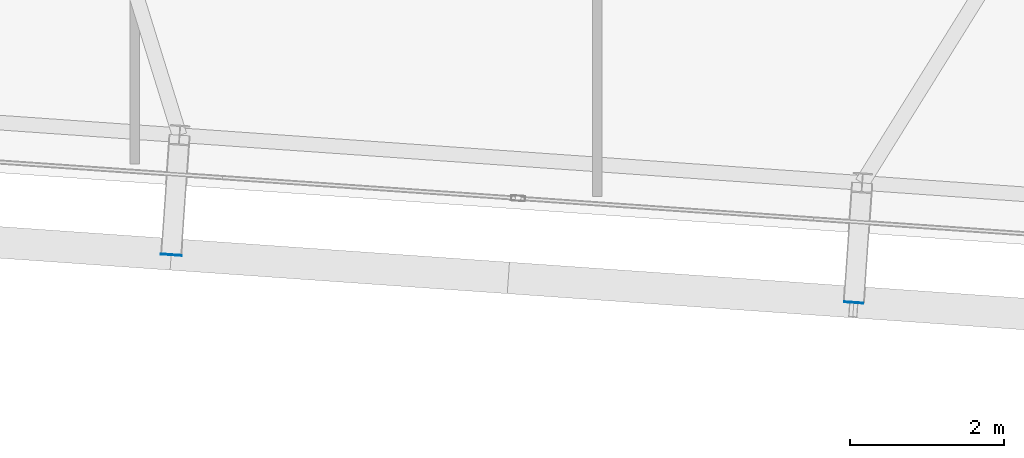
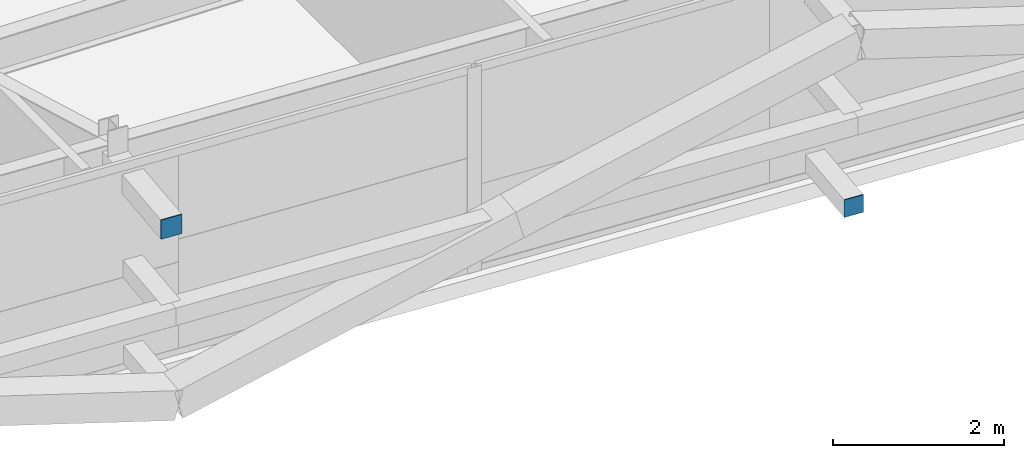
# One storey, part 28 of 39: 2 plates.
"""IFC4 building model written with IfcOpenShell, lengths in metres."""

import ifcopenshell
import ifcopenshell.guid

model = None  # the IFC model being written
_history = None  # IfcOwnerHistory: only IFC2X3 demands one
_inside = {}  # id of a spatial element -> (the spatial element, [elements in it])
_under = {}  # id of a project, library or spatial element -> (it, [spatial elements below it])
_declared = {}  # id of a project -> (the project, [libraries it declares])
_typed = {}  # id of a type object -> (the type object, [elements of that type])
_made_of = {}  # id of a material, layer set ... -> (it, [elements and type objects made of it])


def new_model(schema):
    """Start an empty IFC model of exactly this schema.

    Asked for "IFC4X3", IfcOpenShell would pick the latest addendum, in which some entities
    have other attributes; the version numbers below select the first issue.
    IFC2X3 requires an IfcOwnerHistory on every rooted entity: one is made here for all.
    """
    global model, _history
    if schema == "IFC4X3":
        model = ifcopenshell.file(schema_version=(4, 3, 0, 0))
    else:
        model = ifcopenshell.file(schema=schema)
    _inside.clear()
    _under.clear()
    _declared.clear()
    _typed.clear()
    _made_of.clear()
    _history = None
    if model.schema == "IFC2X3":
        org = make("IfcOrganization", Name="unknown")
        user = make(
            "IfcPersonAndOrganization",
            ThePerson=make("IfcPerson", FamilyName="unknown"),
            TheOrganization=org,
        )
        app = make(
            "IfcApplication",
            ApplicationDeveloper=org,
            Version="unknown",
            ApplicationFullName="unknown",
            ApplicationIdentifier="unknown",
        )
        _history = make(
            "IfcOwnerHistory",
            OwningUser=user,
            OwningApplication=app,
            ChangeAction="ADDED",
            CreationDate=0,
        )
    return model


def make(cls, **values):
    """One entity of the class cls with the attributes given. An attribute that is None is left unset."""
    return model.create_entity(
        cls, **{name: value for name, value in values.items() if value is not None}
    )


def rooted(cls, **values):
    """An entity with a GlobalId (a new one), such as an element, a storey or a relation."""
    return make(cls, GlobalId=ifcopenshell.guid.new(), OwnerHistory=_history, **values)


def si_unit(unit_type, name, prefix=None):
    """IfcSIUnit, for example si_unit("LENGTHUNIT", "METRE", prefix="MILLI")."""
    return make("IfcSIUnit", UnitType=unit_type, Prefix=prefix, Name=name)


def assignment(units):
    """IfcUnitAssignment: the units of a project."""
    return None if units is None else make("IfcUnitAssignment", Units=units)


def point(xyz):
    """IfcCartesianPoint."""
    return None if xyz is None else make("IfcCartesianPoint", Coordinates=xyz)


def direction(xyz):
    """IfcDirection."""
    return None if xyz is None else make("IfcDirection", DirectionRatios=xyz)


def frame(location, z_axis=None, x_axis=None):
    """IfcAxis2Placement3D, a coordinate frame: its origin and axes. An axis left out is left unset."""
    return make(
        "IfcAxis2Placement3D",
        Location=point(location),
        Axis=direction(z_axis),
        RefDirection=direction(x_axis),
    )


def frame_2d(location, x_axis=None):
    """IfcAxis2Placement2D, a coordinate frame in the plane: its origin and x axis."""
    return make(
        "IfcAxis2Placement2D", Location=point(location), RefDirection=direction(x_axis)
    )


def origin():
    """The frame at (0, 0, 0) with its axes left unset."""
    return frame((0.0, 0.0, 0.0))


def origin_2d():
    """The frame at (0, 0) in the plane with its x axis left unset."""
    return frame_2d((0.0, 0.0))


def place(relative_to, where):
    """IfcLocalPlacement: puts the frame where relative to a parent placement (None: the world)."""
    return make(
        "IfcLocalPlacement", PlacementRelTo=relative_to, RelativePlacement=where
    )


def context(
    kind, dimensions, precision=None, world=None, true_north=None, identifier=None
):
    """IfcGeometricRepresentationContext, for example the 3D "Model" context."""
    return make(
        "IfcGeometricRepresentationContext",
        ContextIdentifier=identifier,
        ContextType=kind,
        CoordinateSpaceDimension=dimensions,
        Precision=precision,
        WorldCoordinateSystem=world,
        TrueNorth=true_north,
    )


def subcontext(parent, identifier, kind, view, scale=None):
    """IfcGeometricRepresentationSubContext, for example "Body" below "Model"."""
    return make(
        "IfcGeometricRepresentationSubContext",
        ContextIdentifier=identifier,
        ContextType=kind,
        ParentContext=parent,
        TargetScale=scale,
        TargetView=view,
    )


def project(units=None, contexts=None):
    """IfcProject with its units and contexts."""
    return rooted(
        "IfcProject",
        Name="project",
        RepresentationContexts=contexts,
        UnitsInContext=assignment(units),
    )


def spatial(cls, under=None, at=None, **own):
    """A site, building, storey or space (cls), placed at a placement, below another one or the project."""
    s = rooted(cls, ObjectPlacement=at, **own)
    if under is not None:
        _under.setdefault(under.id(), (under, []))[1].append(s)
    return s


def profile(cls, at=None, kind="AREA", **sizes):
    """A parametric profile (cls). Its sizes go by their IFC names, for example OverallWidth=200.0."""
    return make(cls, ProfileType=kind, Position=at, **sizes)


def rectangle(**sizes):
    """IfcRectangleProfileDef."""
    return profile("IfcRectangleProfileDef", **sizes)


def extrude(swept, where, along, depth):
    """IfcExtrudedAreaSolid: the profile swept, set in the frame where, extruded along a direction by depth."""
    return make(
        "IfcExtrudedAreaSolid",
        SweptArea=swept,
        Position=where,
        ExtrudedDirection=direction(along),
        Depth=depth,
    )


def shape(context_of_items, identifier, shape_type, items):
    """IfcShapeRepresentation: the items that make up one representation, for example the "Body"."""
    return make(
        "IfcShapeRepresentation",
        ContextOfItems=context_of_items,
        RepresentationIdentifier=identifier,
        RepresentationType=shape_type,
        Items=items,
    )


def source(mapping_origin, context_of_items, identifier, shape_type, items):
    """IfcRepresentationMap: a shape defined once, which mapped items show again and again."""
    return make(
        "IfcRepresentationMap",
        MappingOrigin=mapping_origin,
        MappedRepresentation=shape(context_of_items, identifier, shape_type, items),
    )


def transform(
    local_origin,
    x_axis=None,
    y_axis=None,
    z_axis=None,
    scale=None,
    scale2=None,
    scale3=None,
    uniform=True,
):
    """IfcCartesianTransformationOperator3D, or its non-uniform kind. x_axis, y_axis, z_axis: its Axis1, 2, 3."""
    if uniform:
        return make(
            "IfcCartesianTransformationOperator3D",
            Axis1=direction(x_axis),
            Axis2=direction(y_axis),
            LocalOrigin=point(local_origin),
            Scale=scale,
            Axis3=direction(z_axis),
        )
    return make(
        "IfcCartesianTransformationOperator3DnonUniform",
        Axis1=direction(x_axis),
        Axis2=direction(y_axis),
        LocalOrigin=point(local_origin),
        Scale=scale,
        Axis3=direction(z_axis),
        Scale2=scale2,
        Scale3=scale3,
    )


def mapped(mapping_source, mapping_target):
    """IfcMappedItem: shows the shape of a source again, moved by a transform."""
    return make(
        "IfcMappedItem", MappingSource=mapping_source, MappingTarget=mapping_target
    )


def material(Name=None, Category=None):
    """IfcMaterial."""
    return make("IfcMaterial", Name=Name, Category=Category)


def layer(
    of_material, thickness, ventilated=None, Name=None, Category=None, Priority=None
):
    """IfcMaterialLayer: one layer of a wall or slab, of a material (None: an air gap)."""
    return make(
        "IfcMaterialLayer",
        Material=of_material,
        LayerThickness=thickness,
        IsVentilated=ventilated,
        Name=Name,
        Category=Category,
        Priority=Priority,
    )


def layer_set(layers, Name=None):
    """IfcMaterialLayerSet."""
    return make("IfcMaterialLayerSet", MaterialLayers=layers, LayerSetName=Name)


def made_of(thing, what):
    """Note that an element or type object is made of a material, layer set ...; save() writes the relation."""
    if what is not None:
        _made_of.setdefault(what.id(), (what, []))[1].append(thing)
    return thing


def type_object(cls, material=None, **own):
    """A type object (cls), such as IfcWallType, which elements share."""
    return made_of(rooted(cls, **own), material)


def element(
    cls,
    number,
    at=None,
    inside=None,
    cuts=None,
    type_object=None,
    material=None,
    context=None,
    identifier="Body",
    shape_type=None,
    held_by="IfcProductDefinitionShape",
    body=None,
    shapes=None,
    **own,
):
    """One element of the class cls, such as IfcWall. Its Tag is "e" and its number.

    at: its placement. inside: the storey or other place that contains it. cuts: it is an
    opening in that element (IfcRelVoidsElement). A single representation is given by context,
    identifier, shape_type and body (its items); several are given by shapes. held_by: the class
    of the entity that holds the representations. save() writes the other relations.
    """
    e = rooted(cls, Tag="e%d" % number, ObjectPlacement=at, **own)
    if body is not None:
        shapes = [shape(context, identifier, shape_type, body)]
    if shapes is not None:
        e.Representation = make(held_by, Representations=shapes)
    if inside is not None:
        _inside.setdefault(inside.id(), (inside, []))[1].append(e)
    if cuts is not None:
        rooted(
            "IfcRelVoidsElement", RelatingBuildingElement=cuts, RelatedOpeningElement=e
        )
    if type_object is not None:
        _typed.setdefault(type_object.id(), (type_object, []))[1].append(e)
    return made_of(e, material)


def aggregate(whole, parts):
    """IfcRelAggregates: a whole, such as a stair, and the parts it consists of."""
    return rooted("IfcRelAggregates", RelatingObject=whole, RelatedObjects=parts)


def save(model, path):
    """Write the relations noted so far, then the file.

    IfcRelAggregates (storeys below a building ...), IfcRelContainedInSpatialStructure (elements
    in a storey), IfcRelDefinesByType, IfcRelAssociatesMaterial and IfcRelDeclares: one each for
    every whole, place, type object, material and project.
    """
    for whole, parts in _under.values():
        aggregate(whole, parts)
    for where, things in _inside.values():
        rooted(
            "IfcRelContainedInSpatialStructure",
            RelatedElements=things,
            RelatingStructure=where,
        )
    for kind, things in _typed.values():
        rooted("IfcRelDefinesByType", RelatedObjects=things, RelatingType=kind)
    for what, things in _made_of.values():
        rooted("IfcRelAssociatesMaterial", RelatedObjects=things, RelatingMaterial=what)
    for by, libraries in _declared.values():
        rooted("IfcRelDeclares", RelatingContext=by, RelatedDefinitions=libraries)
    model.write(path)


model = new_model("IFC4")

# Units and contexts
model_context = context("Model", 3, precision=1e-05, world=origin(), true_north=direction((0.0, 1.0)))
body_context = subcontext(model_context, "Body", "Model", "MODEL_VIEW")
ifc_project = project(units=[si_unit("LENGTHUNIT", "METRE"), si_unit("AREAUNIT", "SQUARE_METRE"), si_unit("VOLUMEUNIT", "CUBIC_METRE"), si_unit("PLANEANGLEUNIT", "RADIAN"), si_unit("MASSUNIT", "GRAM", prefix="KILO")], contexts=[model_context])

# Site, building, storey
site_placement = place(None, origin())
site = spatial("IfcSite", under=ifc_project, at=site_placement, CompositionType="ELEMENT")
building_placement = place(site_placement, origin())
building = spatial("IfcBuilding", under=site, at=building_placement, Name="Taldren Reach Tower", CompositionType="ELEMENT")
storey_placement = place(building_placement, frame((0.0, 0.0, 120.39990234375)))
storey = spatial("IfcBuildingStorey", under=building, at=storey_placement, Name="L36", CompositionType="ELEMENT", Elevation=120.39990234375)

# Plates
ifc_material_1 = material(Name="Steel Gr 450 (C450L0)", Category="steel")
ifc_layer_1 = layer(ifc_material_1, 0.011962890625)
ifc_layer_set_1 = layer_set([ifc_layer_1], Name="Steel Gr 450 (C450L0)")
plate_type_1 = type_object("IfcPlateType", Name="PL-CAP-275", PredefinedType="SHEET", material=ifc_layer_set_1)
shared_shape_1 = source(origin(), body_context, "Body", "SweptSolid", [
    extrude(rectangle(XDim=0.27490234375, YDim=0.011962890625, at=origin_2d()), origin(), (0.0, 0.0, 1.0), 0.27490234375),
])
plate_1_placement = place(storey_placement, frame((29.4716796875, 2.54736328125, 2.5126953125), z_axis=(0.0, 0.0, 1.0), x_axis=(0.99756405026, -0.069756473744, 0.0)))
element("IfcPlate", 1, at=plate_1_placement, inside=storey, type_object=plate_type_1, Name="Tie strut end cap plate B3-S3 L36", PredefinedType="SHEET", context=body_context, shape_type="MappedRepresentation", body=[
    mapped(shared_shape_1, transform((0.0, 0.0, 0.0), scale=1.0)),
])
ifc_material_2 = material(Name="Steel Gr 350 (C350L0)", Category="steel")
ifc_layer_2 = layer(ifc_material_2, 0.011962890625)
ifc_layer_set_2 = layer_set([ifc_layer_2], Name="Steel Gr 350 (C350L0)")
plate_type_2 = type_object("IfcPlateType", Name="PL-CAP-250", PredefinedType="SHEET", material=ifc_layer_set_2)
shared_shape_2 = source(origin(), body_context, "Body", "SweptSolid", [
    extrude(rectangle(XDim=0.25, YDim=0.011962890625, at=origin_2d()), origin(), (0.0, 0.0, 1.0), 0.25),
])
plate_2_placement = place(storey_placement, frame((38.330078125, 1.927978515625, 0.09521484375), z_axis=(0.0, 0.0, 1.0), x_axis=(0.99756405026, -0.069756473744, 0.0)))
element("IfcPlate", 2, at=plate_2_placement, inside=storey, type_object=plate_type_2, Name="Tie strut end cap plate B3-S4 L36", PredefinedType="SHEET", context=body_context, shape_type="MappedRepresentation", body=[
    mapped(shared_shape_2, transform((0.0, 0.0, 0.0), scale=1.0)),
])

save(model, "model.ifc")
